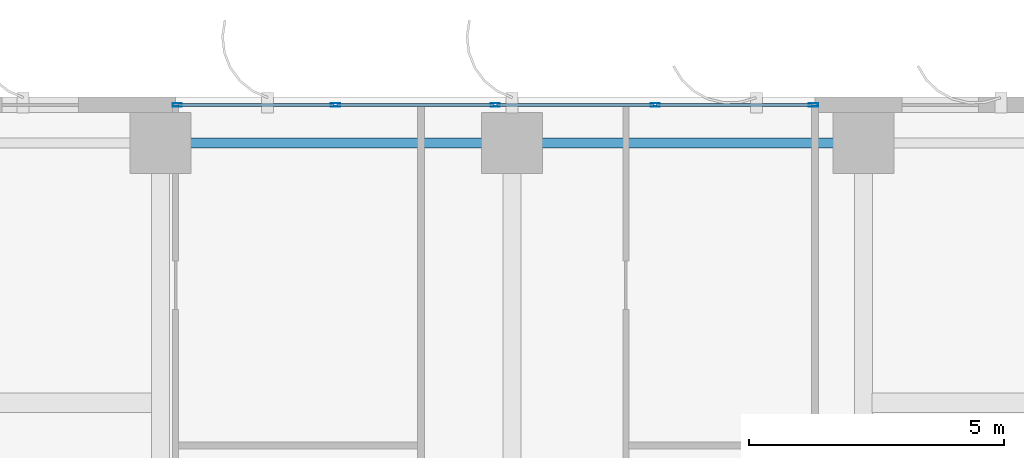
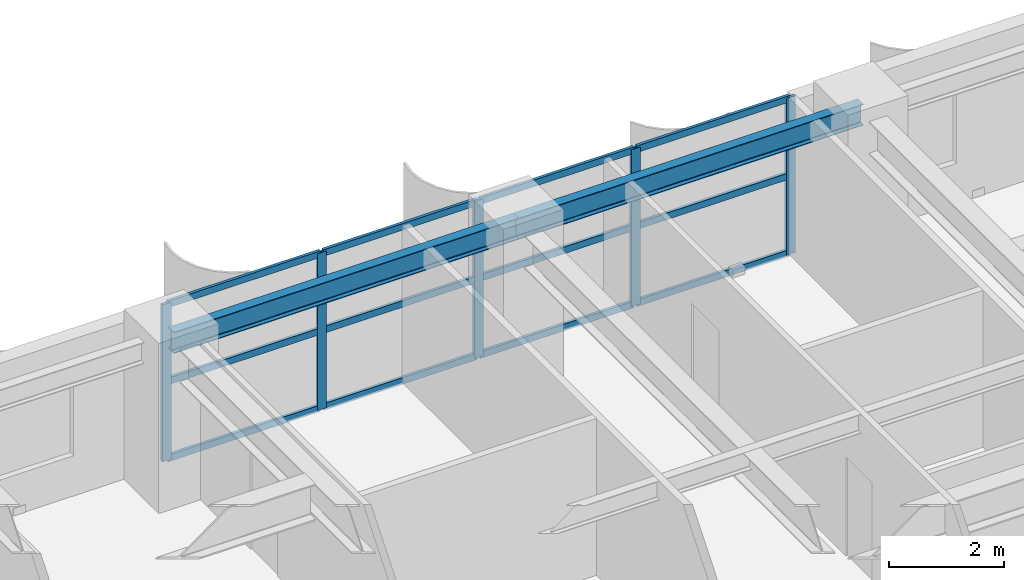
# One storey, part 7 of 21: 17 members, 2 beams, 1 element without a shape of its own.
"""IFC4 building model written with IfcOpenShell, lengths in metres."""

from ifc_helpers import new_model, si_unit, direction, frame, origin, origin_2d, place, context, subcontext, project, spatial, hollow_rectangle, i_section, extrude, source, transform, mapped, material, layer, layer_set, material_profile, profile_set, type_object, element, aggregate, save


model = new_model("IFC4")

# Units and contexts
model_context = context("Model", 3, precision=1e-05, world=origin(), true_north=direction((0.0, 1.0)))
body_context = subcontext(model_context, "Body", "Model", "MODEL_VIEW")
ifc_project = project(units=[si_unit("LENGTHUNIT", "METRE"), si_unit("AREAUNIT", "SQUARE_METRE"), si_unit("VOLUMEUNIT", "CUBIC_METRE"), si_unit("PLANEANGLEUNIT", "RADIAN"), si_unit("MASSUNIT", "GRAM", prefix="KILO")], contexts=[model_context])

# Site, building, storey
site_placement = place(None, origin())
site = spatial("IfcSite", under=ifc_project, at=site_placement, CompositionType="ELEMENT")
building_placement = place(site_placement, origin())
building = spatial("IfcBuilding", under=site, at=building_placement, Name="Khoralis Quay Care Tower", CompositionType="ELEMENT")
storey_placement = place(building_placement, frame((0.0, 0.0, 22.5)))
storey = spatial("IfcBuildingStorey", under=building, at=storey_placement, Name="L05", CompositionType="ELEMENT", Elevation=22.5)

# Beams
ifc_material_1 = material(Name="Steel S355", Category="steel")
ifc_material_profile_1 = material_profile(ifc_material_1, i_section(OverallWidth=0.18994140625, OverallDepth=0.449951171875, WebThickness=0.009521484375, FlangeThickness=0.0146484375, FilletRadius=0.02099609375, at=origin_2d()), Name="Steel S355")
ifc_profile_set_1 = profile_set([ifc_material_profile_1], Name="Steel S355")
beam_type = type_object("IfcBeamType", Name="BM-IPE450", PredefinedType="SPANDREL", material=ifc_profile_set_1)
shared_shape_1 = source(origin(), body_context, "Body", "SweptSolid", [
    extrude(i_section(OverallWidth=0.18994140625, OverallDepth=0.449951171875, WebThickness=0.009521484375, FlangeThickness=0.0146484375, FilletRadius=0.02099609375, at=origin_2d()), origin(), (0.0, 0.0, 1.0), 6.89990234375),
])
for number, where, z_axis, x_axis, name in (
    (1, (17.10009765625, 47.10009765625, 3.094970703125), (1.0, 0.0, 0.0), (0.0, 1.0, 0.0), "BM-TSP-L05-09"),
    (2, (24.0, 47.10009765625, 3.094970703125), (1.0, 0.0, 0.0), (0.0, 1.0, 0.0), "BM-TSP-L05-10"),
):
    element("IfcBeam", number, at=place(storey_placement, frame(where, z_axis=z_axis, x_axis=x_axis)), inside=storey, type_object=beam_type, Name=name, PredefinedType="SPANDREL", context=body_context, shape_type="MappedRepresentation", body=[
        mapped(shared_shape_1, transform((0.0, 0.0, 0.0), scale=1.0)),
    ])

# Curtain wall, members
ifc_material_2 = material(Name="Pale anodised aluminium", Category="aluminium")
ifc_layer = layer(ifc_material_2, 0.179931640625)
ifc_layer_set = layer_set([ifc_layer], Name="Pale anodised aluminium")
curtain_wall_type = type_object("IfcCurtainWallType", Name="CW-SYS-Z1", PredefinedType="NOTDEFINED", material=ifc_layer_set)
curtain_wall_placement = place(storey_placement, origin())
curtain_wall = element("IfcCurtainWall", 3, at=curtain_wall_placement, inside=storey, type_object=curtain_wall_type, Name="L05 Unitised Curtain Wall CW-L05-P1-E10", PredefinedType="NOTDEFINED")
ifc_material_profile_2 = material_profile(ifc_material_2, hollow_rectangle(XDim=0.06494140625, YDim=0.179931640625, WallThickness=0.00390625, at=origin_2d()), Name="Pale anodised aluminium")
ifc_profile_set_2 = profile_set([ifc_material_profile_2], Name="Pale anodised aluminium")
member_type_1 = type_object("IfcMemberType", Name="CW-MUL-180", PredefinedType="MULLION", material=ifc_profile_set_2)
shared_shape_2 = source(origin(), body_context, "Body", "SweptSolid", [
    extrude(hollow_rectangle(XDim=0.06494140625, YDim=0.179931640625, WallThickness=0.00390625, at=origin_2d()), origin(), (0.0, 0.0, 1.0), 3.320068359375),
])
member_1_placement = place(storey_placement, frame((29.919921875, 47.85009765625, 0.0), z_axis=(0.0, 0.0, 1.0), x_axis=(0.0, -1.0, 0.0)))
member_1 = element("IfcMember", 4, at=member_1_placement, type_object=member_type_1, Name="CW1 mullion 1", PredefinedType="MULLION", context=body_context, shape_type="MappedRepresentation", body=[
    mapped(shared_shape_2, transform((0.0, 0.0, 0.0), scale=1.0)),
])
member_2_placement = place(storey_placement, frame((26.8115234375, 47.85009765625, 0.0), z_axis=(0.0, 0.0, 1.0), x_axis=(0.0, -1.0, 0.0)))
member_2 = element("IfcMember", 5, at=member_2_placement, type_object=member_type_1, Name="CW1 mullion 2", PredefinedType="MULLION", context=body_context, shape_type="MappedRepresentation", body=[
    mapped(shared_shape_2, transform((0.0, 0.0, 0.0), scale=1.0)),
])
member_3_placement = place(storey_placement, frame((23.673095703125, 47.85009765625, 0.0), z_axis=(0.0, 0.0, 1.0), x_axis=(0.0, -1.0, 0.0)))
member_3 = element("IfcMember", 6, at=member_3_placement, type_object=member_type_1, Name="CW1 mullion 3", PredefinedType="MULLION", context=body_context, shape_type="MappedRepresentation", body=[
    mapped(shared_shape_2, transform((0.0, 0.0, 0.0), scale=1.0)),
])
member_4_placement = place(storey_placement, frame((20.534423828125, 47.85009765625, 0.0), z_axis=(0.0, 0.0, 1.0), x_axis=(0.0, -1.0, 0.0)))
member_4 = element("IfcMember", 7, at=member_4_placement, type_object=member_type_1, Name="CW1 mullion 4", PredefinedType="MULLION", context=body_context, shape_type="MappedRepresentation", body=[
    mapped(shared_shape_2, transform((0.0, 0.0, 0.0), scale=1.0)),
])
member_5_placement = place(storey_placement, frame((17.426025390625, 47.85009765625, 0.0), z_axis=(0.0, 0.0, 1.0), x_axis=(0.0, -1.0, 0.0)))
member_5 = element("IfcMember", 8, at=member_5_placement, type_object=member_type_1, Name="CW1 mullion 5", PredefinedType="MULLION", context=body_context, shape_type="MappedRepresentation", body=[
    mapped(shared_shape_2, transform((0.0, 0.0, 0.0), scale=1.0)),
])
ifc_material_profile_3 = material_profile(ifc_material_2, hollow_rectangle(XDim=0.06005859375, YDim=0.139892578125, WallThickness=0.00390625, at=origin_2d()), Name="Pale anodised aluminium")
ifc_profile_set_3 = profile_set([ifc_material_profile_3], Name="Pale anodised aluminium")
member_type_2 = type_object("IfcMemberType", Name="CW-TRN-140", PredefinedType="USERDEFINED", material=ifc_profile_set_3)
shared_shape_3 = source(origin(), body_context, "Body", "SweptSolid", [
    extrude(hollow_rectangle(XDim=0.06005859375, YDim=0.139892578125, WallThickness=0.00390625, at=origin_2d()), origin(), (0.0, 0.0, 1.0), 3.04833984375),
])
member_6_placement = place(storey_placement, frame((29.889892578125, 47.85009765625, 0.030029296875), z_axis=(-1.0, 0.0, 0.0), x_axis=(0.0, -1.0, 0.0)))
member_6 = element("IfcMember", 9, at=member_6_placement, type_object=member_type_2, Name="CW1 transom 1.1", ObjectType="TRANSOM", PredefinedType="USERDEFINED", context=body_context, shape_type="MappedRepresentation", body=[
    mapped(shared_shape_3, transform((0.0, 0.0, 0.0), scale=1.0)),
])
member_7_placement = place(storey_placement, frame((29.889892578125, 47.85009765625, 1.659912109375), z_axis=(-1.0, 0.0, 0.0), x_axis=(0.0, -1.0, 0.0)))
member_7 = element("IfcMember", 10, at=member_7_placement, type_object=member_type_2, Name="CW1 transom 1.2", ObjectType="TRANSOM", PredefinedType="USERDEFINED", context=body_context, shape_type="MappedRepresentation", body=[
    mapped(shared_shape_3, transform((0.0, 0.0, 0.0), scale=1.0)),
])
member_8_placement = place(storey_placement, frame((29.889892578125, 47.85009765625, 3.2900390625), z_axis=(-1.0, 0.0, 0.0), x_axis=(0.0, -1.0, 0.0)))
member_8 = element("IfcMember", 11, at=member_8_placement, type_object=member_type_2, Name="CW1 transom 1.3", ObjectType="TRANSOM", PredefinedType="USERDEFINED", context=body_context, shape_type="MappedRepresentation", body=[
    mapped(shared_shape_3, transform((0.0, 0.0, 0.0), scale=1.0)),
])
member_9_placement = place(storey_placement, frame((20.50439453125, 47.85009765625, 0.030029296875), z_axis=(-1.0, 0.0, 0.0), x_axis=(0.0, -1.0, 0.0)))
member_9 = element("IfcMember", 12, at=member_9_placement, type_object=member_type_2, Name="CW1 transom 4.1", ObjectType="TRANSOM", PredefinedType="USERDEFINED", context=body_context, shape_type="MappedRepresentation", body=[
    mapped(shared_shape_3, transform((0.0, 0.0, 0.0), scale=1.0)),
])
member_10_placement = place(storey_placement, frame((20.50439453125, 47.85009765625, 1.659912109375), z_axis=(-1.0, 0.0, 0.0), x_axis=(0.0, -1.0, 0.0)))
member_10 = element("IfcMember", 13, at=member_10_placement, type_object=member_type_2, Name="CW1 transom 4.2", ObjectType="TRANSOM", PredefinedType="USERDEFINED", context=body_context, shape_type="MappedRepresentation", body=[
    mapped(shared_shape_3, transform((0.0, 0.0, 0.0), scale=1.0)),
])
member_11_placement = place(storey_placement, frame((20.50439453125, 47.85009765625, 3.2900390625), z_axis=(-1.0, 0.0, 0.0), x_axis=(0.0, -1.0, 0.0)))
member_11 = element("IfcMember", 14, at=member_11_placement, type_object=member_type_2, Name="CW1 transom 4.3", ObjectType="TRANSOM", PredefinedType="USERDEFINED", context=body_context, shape_type="MappedRepresentation", body=[
    mapped(shared_shape_3, transform((0.0, 0.0, 0.0), scale=1.0)),
])
shared_shape_4 = source(origin(), body_context, "Body", "SweptSolid", [
    extrude(hollow_rectangle(XDim=0.06005859375, YDim=0.139892578125, WallThickness=0.00390625, at=origin_2d()), origin(), (0.0, 0.0, 1.0), 3.07861328125),
])
member_12_placement = place(storey_placement, frame((26.781494140625, 47.85009765625, 0.030029296875), z_axis=(-1.0, 0.0, 0.0), x_axis=(0.0, -1.0, 0.0)))
member_12 = element("IfcMember", 15, at=member_12_placement, type_object=member_type_2, Name="CW1 transom 2.1", ObjectType="TRANSOM", PredefinedType="USERDEFINED", context=body_context, shape_type="MappedRepresentation", body=[
    mapped(shared_shape_4, transform((0.0, 0.0, 0.0), scale=1.0)),
])
member_13_placement = place(storey_placement, frame((26.781494140625, 47.85009765625, 1.659912109375), z_axis=(-1.0, 0.0, 0.0), x_axis=(0.0, -1.0, 0.0)))
member_13 = element("IfcMember", 16, at=member_13_placement, type_object=member_type_2, Name="CW1 transom 2.2", ObjectType="TRANSOM", PredefinedType="USERDEFINED", context=body_context, shape_type="MappedRepresentation", body=[
    mapped(shared_shape_4, transform((0.0, 0.0, 0.0), scale=1.0)),
])
member_14_placement = place(storey_placement, frame((26.781494140625, 47.85009765625, 3.2900390625), z_axis=(-1.0, 0.0, 0.0), x_axis=(0.0, -1.0, 0.0)))
member_14 = element("IfcMember", 17, at=member_14_placement, type_object=member_type_2, Name="CW1 transom 2.3", ObjectType="TRANSOM", PredefinedType="USERDEFINED", context=body_context, shape_type="MappedRepresentation", body=[
    mapped(shared_shape_4, transform((0.0, 0.0, 0.0), scale=1.0)),
])
member_15_placement = place(storey_placement, frame((23.64306640625, 47.85009765625, 0.030029296875), z_axis=(-1.0, 0.0, 0.0), x_axis=(0.0, -1.0, 0.0)))
member_15 = element("IfcMember", 18, at=member_15_placement, type_object=member_type_2, Name="CW1 transom 3.1", ObjectType="TRANSOM", PredefinedType="USERDEFINED", context=body_context, shape_type="MappedRepresentation", body=[
    mapped(shared_shape_4, transform((0.0, 0.0, 0.0), scale=1.0)),
])
member_16_placement = place(storey_placement, frame((23.64306640625, 47.85009765625, 1.659912109375), z_axis=(-1.0, 0.0, 0.0), x_axis=(0.0, -1.0, 0.0)))
member_16 = element("IfcMember", 19, at=member_16_placement, type_object=member_type_2, Name="CW1 transom 3.2", ObjectType="TRANSOM", PredefinedType="USERDEFINED", context=body_context, shape_type="MappedRepresentation", body=[
    mapped(shared_shape_4, transform((0.0, 0.0, 0.0), scale=1.0)),
])
member_17_placement = place(storey_placement, frame((23.64306640625, 47.85009765625, 3.2900390625), z_axis=(-1.0, 0.0, 0.0), x_axis=(0.0, -1.0, 0.0)))
member_17 = element("IfcMember", 20, at=member_17_placement, type_object=member_type_2, Name="CW1 transom 3.3", ObjectType="TRANSOM", PredefinedType="USERDEFINED", context=body_context, shape_type="MappedRepresentation", body=[
    mapped(shared_shape_4, transform((0.0, 0.0, 0.0), scale=1.0)),
])
aggregate(curtain_wall, [member_1, member_2, member_3, member_4, member_5, member_6, member_7, member_8, member_12, member_13, member_14, member_15, member_16, member_17, member_9, member_10, member_11])

save(model, "model.ifc")
